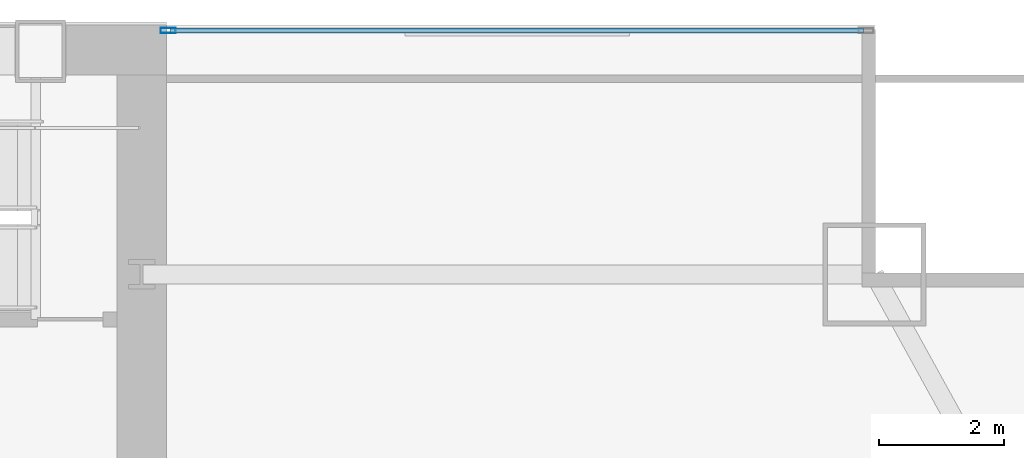
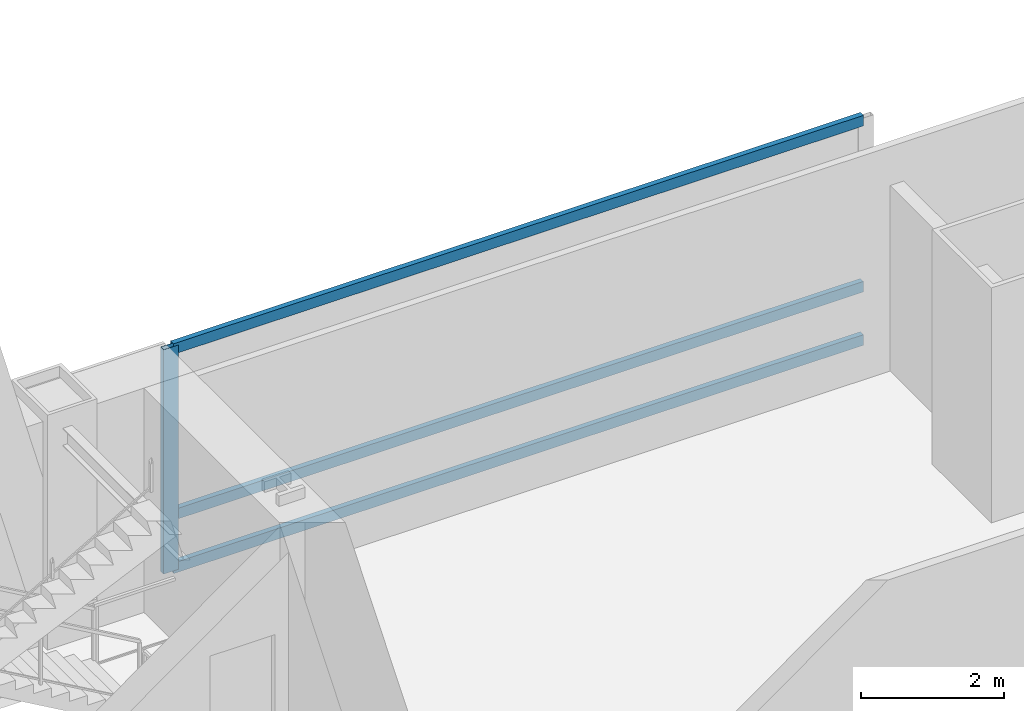
# One storey, part 20 of 35: 4 members, 1 element without a shape of its own.
"""IFC4 building model written with IfcOpenShell, lengths in metres."""

from ifc_helpers import new_model, si_unit, direction, frame, origin, origin_2d, place, context, subcontext, project, spatial, hollow_rectangle, extrude, material, material_profile, profile_set, type_object, element, aggregate, save


model = new_model("IFC4")

# Units and contexts
model_context = context("Model", 3, precision=1e-05, world=origin(), true_north=direction((0.0, 1.0)))
body_context = subcontext(model_context, "Body", "Model", "MODEL_VIEW")
ifc_project = project(units=[si_unit("LENGTHUNIT", "METRE"), si_unit("AREAUNIT", "SQUARE_METRE"), si_unit("VOLUMEUNIT", "CUBIC_METRE"), si_unit("PLANEANGLEUNIT", "RADIAN"), si_unit("MASSUNIT", "GRAM", prefix="KILO")], contexts=[model_context])

# Site, building, storey
site_placement = place(None, origin())
site = spatial("IfcSite", under=ifc_project, at=site_placement, CompositionType="ELEMENT")
building_placement = place(site_placement, origin())
building = spatial("IfcBuilding", under=site, at=building_placement, Name="Khoronbel Lancet Exchange", CompositionType="ELEMENT")
storey_placement = place(building_placement, frame((0.0, 0.0, 37.800048828125)))
storey = spatial("IfcBuildingStorey", under=building, at=storey_placement, Name="L08", CompositionType="ELEMENT", Elevation=37.800048828125)

# Curtain wall, members
ifc_material_1 = material(Name="Low-E Solar Control Insulating Glass", Category="glass")
curtain_wall_type = type_object("IfcCurtainWallType", Name="CW-1", PredefinedType="NOTDEFINED", material=ifc_material_1)
curtain_wall_placement = place(storey_placement, origin())
curtain_wall = element("IfcCurtainWall", 1, at=curtain_wall_placement, inside=storey, type_object=curtain_wall_type, Name="Unitised curtain wall CW-L08-NEFLK", PredefinedType="NOTDEFINED")
ifc_material_2 = material(Name="Bronze-Anodised Aluminium 6063-T6", Category="aluminium")
ifc_material_profile_1 = material_profile(ifc_material_2, hollow_rectangle(XDim=0.0849609375, YDim=0.239990234375, WallThickness=0.006103515625, at=origin_2d()), Name="ALU MULLION 85x240")
ifc_profile_set_1 = profile_set([ifc_material_profile_1], Name="Bronze-Anodised Aluminium 6063-T6")
member_type_1 = type_object("IfcMemberType", Name="MEM-CWM1", PredefinedType="MULLION", material=ifc_profile_set_1)
member_1_placement = place(storey_placement, frame((56.722412109375, 53.610107421875, 0.0), z_axis=(0.0, 0.0, 1.0), x_axis=(0.0, -1.0, 0.0)))
member_1 = element("IfcMember", 2, at=member_1_placement, type_object=member_type_1, Name="CW1 mullion 2", PredefinedType="MULLION", context=body_context, shape_type="SweptSolid", body=[
    extrude(hollow_rectangle(XDim=0.0849609375, YDim=0.239990234375, WallThickness=0.006103515625, at=origin_2d()), origin(), (0.0, 0.0, 1.0), 3.820068359375),
])
ifc_material_profile_2 = material_profile(ifc_material_2, hollow_rectangle(XDim=0.0849609375, YDim=0.179931640625, WallThickness=0.0048828125, at=origin_2d()), Name="ALU TRANSOM 85x180")
ifc_profile_set_2 = profile_set([ifc_material_profile_2], Name="Bronze-Anodised Aluminium 6063-T6")
member_type_2 = type_object("IfcMemberType", Name="MEM-CWT1", PredefinedType="USERDEFINED", material=ifc_profile_set_2)
member_2_placement = place(storey_placement, frame((67.875, 53.610107421875, 0.04248046875), z_axis=(-1.0, 0.0, 0.0), x_axis=(0.0, -1.0, 0.0)))
member_2 = element("IfcMember", 3, at=member_2_placement, type_object=member_type_2, Name="CW1 transom 1.1", ObjectType="TRANSOM", PredefinedType="USERDEFINED", context=body_context, shape_type="SweptSolid", body=[
    extrude(hollow_rectangle(XDim=0.0849609375, YDim=0.179931640625, WallThickness=0.0048828125, at=origin_2d()), origin(), (0.0, 0.0, 1.0), 11.110107421875),
])
member_3_placement = place(storey_placement, frame((67.875, 53.610107421875, 0.949951171875), z_axis=(-1.0, 0.0, 0.0), x_axis=(0.0, -1.0, 0.0)))
member_3 = element("IfcMember", 4, at=member_3_placement, type_object=member_type_2, Name="CW1 transom 1.2", ObjectType="TRANSOM", PredefinedType="USERDEFINED", context=body_context, shape_type="SweptSolid", body=[
    extrude(hollow_rectangle(XDim=0.0849609375, YDim=0.179931640625, WallThickness=0.0048828125, at=origin_2d()), origin(), (0.0, 0.0, 1.0), 11.110107421875),
])
member_4_placement = place(storey_placement, frame((67.875, 53.610107421875, 3.77734375), z_axis=(-1.0, 0.0, 0.0), x_axis=(0.0, -1.0, 0.0)))
member_4 = element("IfcMember", 5, at=member_4_placement, type_object=member_type_2, Name="CW1 transom 1.3", ObjectType="TRANSOM", PredefinedType="USERDEFINED", context=body_context, shape_type="SweptSolid", body=[
    extrude(hollow_rectangle(XDim=0.0849609375, YDim=0.179931640625, WallThickness=0.0048828125, at=origin_2d()), origin(), (0.0, 0.0, 1.0), 11.110107421875),
])
aggregate(curtain_wall, [member_1, member_2, member_3, member_4])

save(model, "model.ifc")
